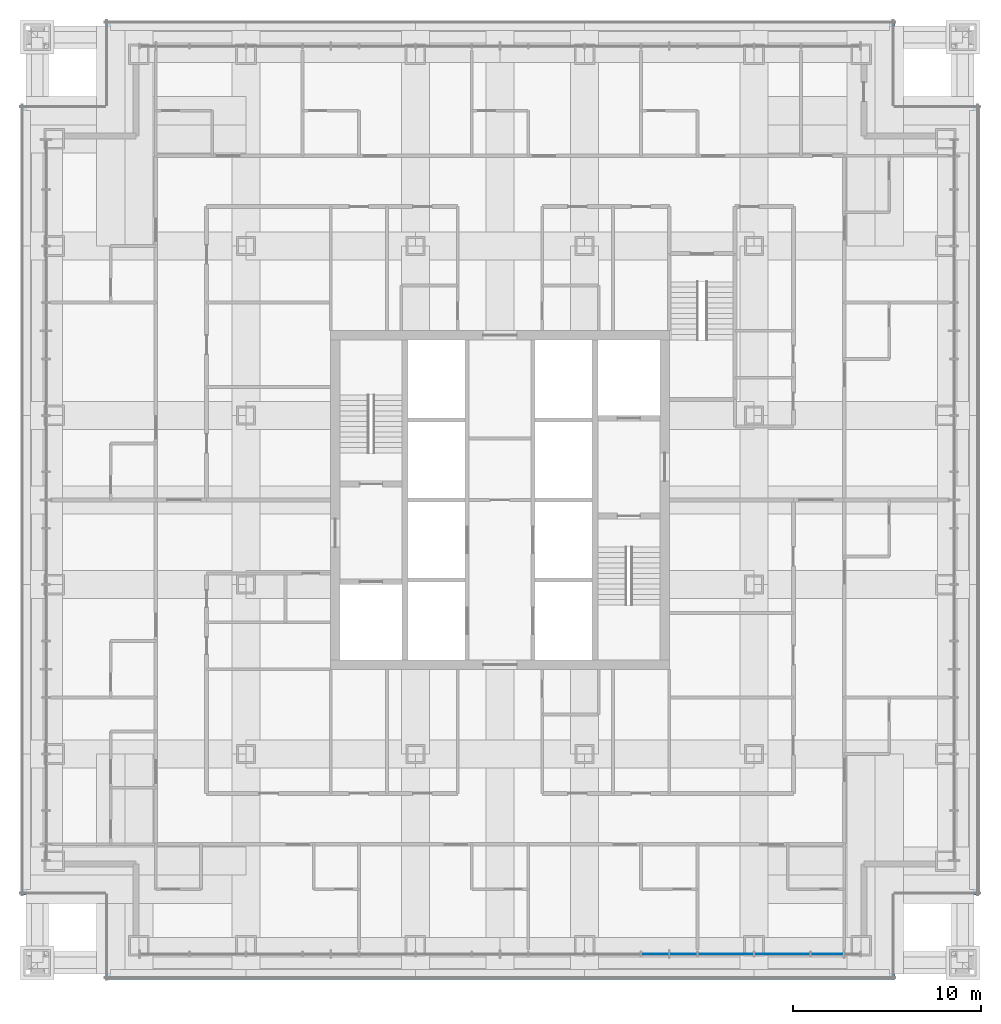
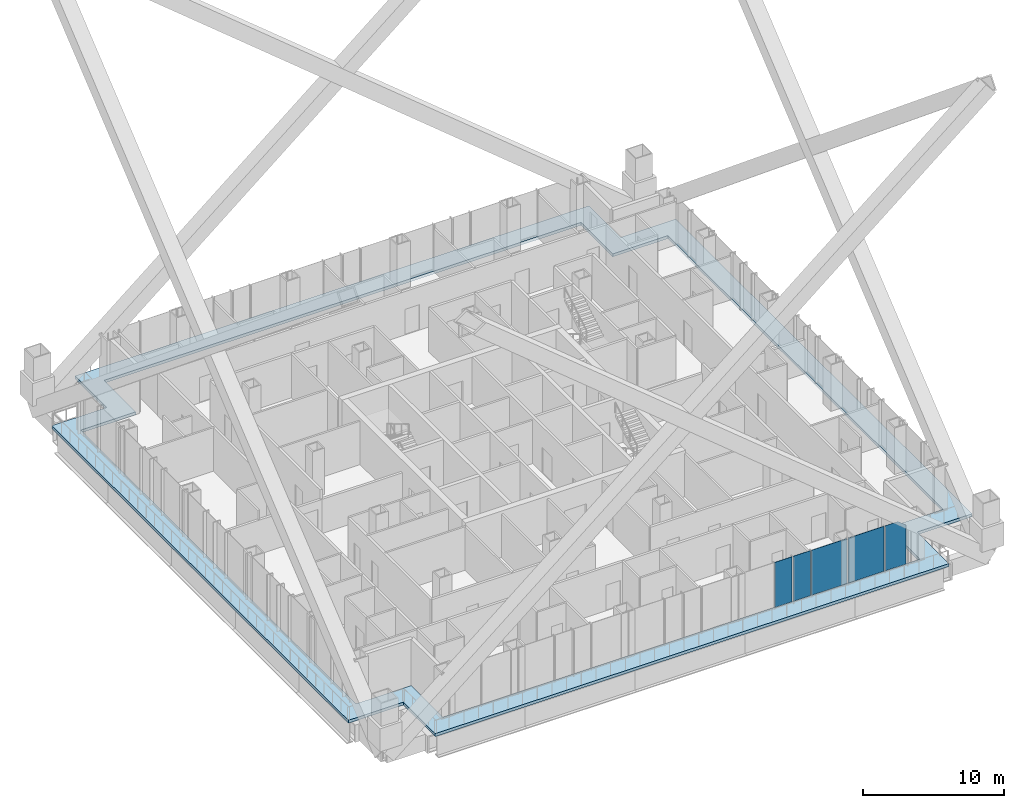
# One storey, part 13 of 20: 5 plates, 1 slab, 1 element without a shape of its own.
"""IFC4 building model written with IfcOpenShell, lengths in metres."""

from ifc_helpers import new_model, si_unit, direction, frame, origin, origin_2d, place, context, subcontext, project, spatial, polyline, rectangle, outline, extrude, material, layer, layer_set, type_object, element, aggregate, save


model = new_model("IFC4")

# Units and contexts
model_context = context("Model", 3, precision=1e-05, world=origin(), true_north=direction((0.0, 1.0)))
body_context = subcontext(model_context, "Body", "Model", "MODEL_VIEW")
ifc_project = project(units=[si_unit("LENGTHUNIT", "METRE"), si_unit("AREAUNIT", "SQUARE_METRE"), si_unit("VOLUMEUNIT", "CUBIC_METRE"), si_unit("PLANEANGLEUNIT", "RADIAN"), si_unit("MASSUNIT", "GRAM", prefix="KILO")], contexts=[model_context])

# Site, building, storey
site_placement = place(None, origin())
site = spatial("IfcSite", under=ifc_project, at=site_placement, CompositionType="ELEMENT")
building_placement = place(site_placement, origin())
building = spatial("IfcBuilding", under=site, at=building_placement, Name="Malebo Sky Hospital", CompositionType="ELEMENT")
storey_placement = place(building_placement, frame((0.0, 0.0, 100.0)))
storey = spatial("IfcBuildingStorey", under=building, at=storey_placement, Name="L23", CompositionType="ELEMENT", Elevation=100.0)

# Slab
ifc_material_1 = material(Name="Concrete C40/50", Category="concrete")
ifc_layer_1 = layer(ifc_material_1, 0.25)
ifc_layer_set_1 = layer_set([ifc_layer_1], Name="ROOF SLAB 250")
slab_type = type_object("IfcSlabType", Name="ROOF SLAB 250", PredefinedType="ROOF", material=ifc_layer_set_1)
slab_placement = place(storey_placement, frame((0.0, 0.0, -0.25)))
element("IfcSlab", 1, at=slab_placement, inside=storey, type_object=slab_type, Name="Setback roof ledge L23", PredefinedType="ROOF", context=body_context, shape_type="SweptSolid", body=[
    extrude(outline(polyline([(81.0, 36.5), (81.0, 41.0), (85.5, 41.0), (85.5, 83.0), (81.0, 83.0), (81.0, 87.5), (39.0, 87.5), (39.0, 83.0), (34.5, 83.0), (34.5, 41.0), (39.0, 41.0), (39.0, 36.5), (81.0, 36.5)]), holes=[polyline([(79.5, 38.0), (40.5, 38.0), (40.5, 42.5), (36.0, 42.5), (36.0, 81.5), (40.5, 81.5), (40.5, 86.0), (79.5, 86.0), (79.5, 81.5), (84.0, 81.5), (84.0, 42.5), (79.5, 42.5), (79.5, 38.0)])]), origin(), (0.0, 0.0, 1.0), 0.25),
])

# Curtain wall, plates
ifc_material_2 = material(Name="Anodised aluminium, natural silver", Category="aluminium")
ifc_layer_2 = layer(ifc_material_2, 0.25)
ifc_layer_set_2 = layer_set([ifc_layer_2], Name="WARD CURTAIN WALL NORTH AND SOUTH")
curtain_wall_type = type_object("IfcCurtainWallType", Name="WARD CURTAIN WALL NORTH AND SOUTH", PredefinedType="NOTDEFINED", material=ifc_layer_set_2)
curtain_wall_placement = place(storey_placement, origin())
curtain_wall = element("IfcCurtainWall", 2, at=curtain_wall_placement, inside=storey, type_object=curtain_wall_type, Name="NS curtain wall S", PredefinedType="NOTDEFINED")
ifc_material_3 = material(Name="Clear low-iron double glazing", Category="glass")
ifc_layer_3 = layer(ifc_material_3, 0.031982421875)
ifc_layer_set_3 = layer_set([ifc_layer_3], Name="VISION PANEL CLEAR 32")
plate_type = type_object("IfcPlateType", Name="VISION PANEL CLEAR 32", PredefinedType="CURTAIN_PANEL", material=ifc_layer_set_3)
plate_1_placement = place(storey_placement, frame((77.39990234375, 37.864990234375, 0.10009765625), z_axis=(0.0, 0.0, 1.0), x_axis=(-1.0, 0.0, 0.0)))
plate_1 = element("IfcPlate", 3, at=plate_1_placement, type_object=plate_type, Name="Panel 2", PredefinedType="CURTAIN_PANEL", context=body_context, shape_type="SweptSolid", body=[
    extrude(outline(polyline([(-0.862548828125, 0.0), (0.862548828125, 0.0), (0.862548828125, 3.889892578125), (-0.222900390625, 3.889892578125), (-0.862548828125, 3.36279296875), (-0.862548828125, 0.0)])), frame((0.0, 0.01611328125, 0.0), z_axis=(0.0, -1.0, 0.0), x_axis=(1.0, 0.0, 0.0)), (0.0, 0.0, 1.0), 0.031982421875),
])
plate_2_placement = place(storey_placement, frame((75.0, 37.864990234375, 0.10009765625), z_axis=(0.0, 0.0, 1.0), x_axis=(-1.0, 0.0, 0.0)))
plate_2 = element("IfcPlate", 4, at=plate_2_placement, type_object=plate_type, Name="Panel 3", PredefinedType="CURTAIN_PANEL", context=body_context, shape_type="SweptSolid", body=[
    extrude(rectangle(XDim=2.925048828125, YDim=0.031982421875, at=origin_2d()), origin(), (0.0, 0.0, 1.0), 3.889892578125),
])
plate_3_placement = place(storey_placement, frame((72.0, 37.864990234375, 0.10009765625), z_axis=(0.0, 0.0, 1.0), x_axis=(-1.0, 0.0, 0.0)))
plate_3 = element("IfcPlate", 5, at=plate_3_placement, type_object=plate_type, Name="Panel 4", PredefinedType="CURTAIN_PANEL", context=body_context, shape_type="SweptSolid", body=[
    extrude(rectangle(XDim=2.925048828125, YDim=0.031982421875, at=origin_2d()), origin(), (0.0, 0.0, 1.0), 3.889892578125),
])
plate_4_placement = place(storey_placement, frame((69.75, 37.864990234375, 0.10009765625), z_axis=(0.0, 0.0, 1.0), x_axis=(-1.0, 0.0, 0.0)))
plate_4 = element("IfcPlate", 6, at=plate_4_placement, type_object=plate_type, Name="Panel 5", PredefinedType="CURTAIN_PANEL", context=body_context, shape_type="SweptSolid", body=[
    extrude(rectangle(XDim=1.425048828125, YDim=0.031982421875, at=origin_2d()), origin(), (0.0, 0.0, 1.0), 3.889892578125),
])
plate_5_placement = place(storey_placement, frame((68.25, 37.864990234375, 0.10009765625), z_axis=(0.0, 0.0, 1.0), x_axis=(-1.0, 0.0, 0.0)))
plate_5 = element("IfcPlate", 7, at=plate_5_placement, type_object=plate_type, Name="Panel 6", PredefinedType="CURTAIN_PANEL", context=body_context, shape_type="SweptSolid", body=[
    extrude(rectangle(XDim=1.425048828125, YDim=0.031982421875, at=origin_2d()), origin(), (0.0, 0.0, 1.0), 3.889892578125),
])
aggregate(curtain_wall, [plate_1, plate_2, plate_3, plate_4, plate_5])

save(model, "model.ifc")
